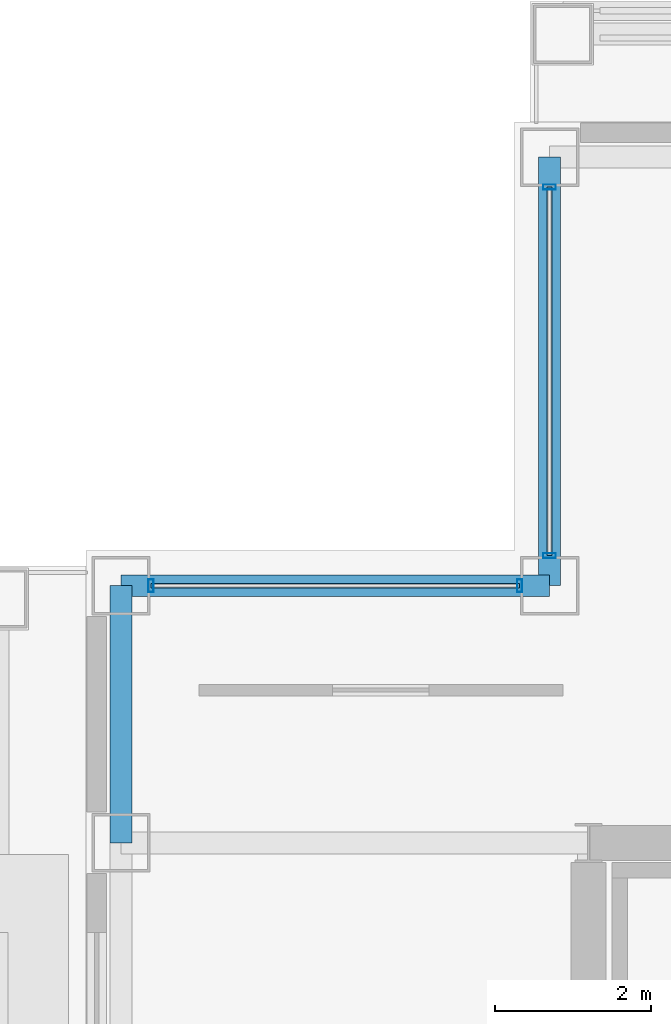
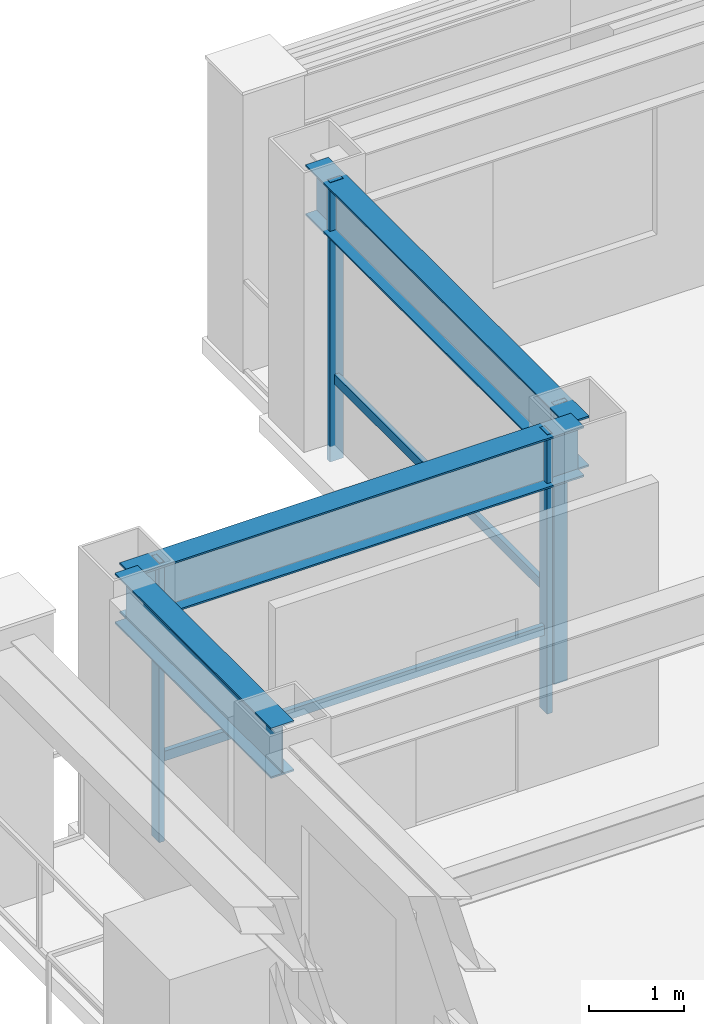
# One storey, part 19 of 31: 6 members, 3 beams, 2 elements without a shape of their own.
"""IFC4 building model written with IfcOpenShell, lengths in metres."""

from ifc_helpers import new_model, si_unit, direction, frame, origin, origin_2d, place, context, subcontext, project, spatial, hollow_rectangle, i_section, extrude, material, layer, layer_set, material_profile, profile_set, type_object, element, aggregate, save


model = new_model("IFC4")

# Units and contexts
model_context = context("Model", 3, precision=1e-05, world=origin(), true_north=direction((0.0, 1.0)))
body_context = subcontext(model_context, "Body", "Model", "MODEL_VIEW")
ifc_project = project(units=[si_unit("LENGTHUNIT", "METRE"), si_unit("AREAUNIT", "SQUARE_METRE"), si_unit("VOLUMEUNIT", "CUBIC_METRE"), si_unit("PLANEANGLEUNIT", "RADIAN"), si_unit("MASSUNIT", "GRAM", prefix="KILO")], contexts=[model_context])

# Site, building, storey
site_placement = place(None, origin())
site = spatial("IfcSite", under=ifc_project, at=site_placement, CompositionType="ELEMENT")
building_placement = place(site_placement, origin())
building = spatial("IfcBuilding", under=site, at=building_placement, Name="Brelmoor Portico Tower", CompositionType="ELEMENT")
storey_placement = place(building_placement, frame((0.0, 0.0, 176.699951171875)))
storey = spatial("IfcBuildingStorey", under=building, at=storey_placement, Name="L46", CompositionType="ELEMENT", Elevation=176.699951171875)

# Beams
ifc_material_1 = material(Name="Steel Q355B", Category="steel")
ifc_material_profile_1 = material_profile(ifc_material_1, i_section(OverallWidth=0.280029296875, OverallDepth=0.64990234375, WebThickness=0.012939453125, FlangeThickness=0.02197265625, at=origin_2d()), Name="HN 650x280x13x22")
ifc_profile_set_1 = profile_set([ifc_material_profile_1], Name="Steel Q355B")
beam_type = type_object("IfcBeamType", Name="BM-SP-650", PredefinedType="SPANDREL", material=ifc_profile_set_1)
beam_1_placement = place(storey_placement, frame((-20.550048828125, 13.050048828125, 3.074951171875), z_axis=(1.0, 0.0, 0.0), x_axis=(0.0, 1.0, 0.0)))
element("IfcBeam", 1, at=beam_1_placement, inside=storey, type_object=beam_type, Name="L46 Perimeter Spandrel Beam SP-06", PredefinedType="SPANDREL", context=body_context, shape_type="SweptSolid", body=[
    extrude(i_section(OverallWidth=0.280029296875, OverallDepth=0.64990234375, WebThickness=0.012939453125, FlangeThickness=0.02197265625, at=origin_2d()), origin(), (0.0, 0.0, 1.0), 5.5),
])
beam_2_placement = place(storey_placement, frame((-20.550048828125, 9.75, 3.074951171875), z_axis=(0.0, 1.0, 0.0), x_axis=(-1.0, 0.0, 0.0)))
element("IfcBeam", 2, at=beam_2_placement, inside=storey, type_object=beam_type, Name="L46 Perimeter Spandrel Beam SP-13", PredefinedType="SPANDREL", context=body_context, shape_type="SweptSolid", body=[
    extrude(i_section(OverallWidth=0.280029296875, OverallDepth=0.64990234375, WebThickness=0.012939453125, FlangeThickness=0.02197265625, at=origin_2d()), origin(), (0.0, 0.0, 1.0), 3.300048828125),
])
beam_3_placement = place(storey_placement, frame((-15.050048828125, 13.050048828125, 3.074951171875), z_axis=(0.0, 1.0, 0.0), x_axis=(-1.0, 0.0, 0.0)))
element("IfcBeam", 3, at=beam_3_placement, inside=storey, type_object=beam_type, Name="L46 Perimeter Spandrel Beam SP-15", PredefinedType="SPANDREL", context=body_context, shape_type="SweptSolid", body=[
    extrude(i_section(OverallWidth=0.280029296875, OverallDepth=0.64990234375, WebThickness=0.012939453125, FlangeThickness=0.02197265625, at=origin_2d()), origin(), (0.0, 0.0, 1.0), 5.5),
])

# Curtain wall, members
ifc_material_2 = material(Name="Anodised Aluminium Alloy 6063-T6", Category="aluminium")
ifc_layer = layer(ifc_material_2, 0.179931640625)
ifc_layer_set = layer_set([ifc_layer], Name="Anodised Aluminium Alloy 6063-T6")
curtain_wall_type = type_object("IfcCurtainWallType", Name="CW-NOTCH-CHAMFER", PredefinedType="NOTDEFINED", material=ifc_layer_set)
curtain_wall_1_placement = place(storey_placement, origin())
curtain_wall_1 = element("IfcCurtainWall", 4, at=curtain_wall_1_placement, inside=storey, type_object=curtain_wall_type, Name="L46 Curtain Wall CWN-L46-NWH", PredefinedType="NOTDEFINED")
ifc_material_profile_2 = material_profile(ifc_material_2, hollow_rectangle(XDim=0.06494140625, YDim=0.1650390625, WallThickness=0.00390625, at=origin_2d()), Name="ALU MULLION 65x165")
ifc_profile_set_2 = profile_set([ifc_material_profile_2], Name="Anodised Aluminium Alloy 6063-T6")
member_type_1 = type_object("IfcMemberType", Name="MB-CW-MULL-165", PredefinedType="MULLION", material=ifc_profile_set_2)
member_1_placement = place(storey_placement, frame((-20.1650390625, 13.050048828125, -0.199951171875), z_axis=(0.0, 0.0, 1.0), x_axis=(1.0, 0.0, 0.0)))
member_1 = element("IfcMember", 5, at=member_1_placement, type_object=member_type_1, Name="CWN-L46-NWH Mullion 00", PredefinedType="MULLION", context=body_context, shape_type="SweptSolid", body=[
    extrude(hollow_rectangle(XDim=0.06494140625, YDim=0.1650390625, WallThickness=0.00390625, at=origin_2d()), origin(), (0.0, 0.0, 1.0), 3.60009765625),
])
member_2_placement = place(storey_placement, frame((-15.43505859375, 13.050048828125, -0.199951171875), z_axis=(0.0, 0.0, 1.0), x_axis=(1.0, 0.0, 0.0)))
member_2 = element("IfcMember", 6, at=member_2_placement, type_object=member_type_1, Name="CWN-L46-NWH Mullion 01", PredefinedType="MULLION", context=body_context, shape_type="SweptSolid", body=[
    extrude(hollow_rectangle(XDim=0.06494140625, YDim=0.1650390625, WallThickness=0.00390625, at=origin_2d()), origin(), (0.0, 0.0, 1.0), 3.60009765625),
])

curtain_wall_2_placement = place(storey_placement, origin())
curtain_wall_2 = element("IfcCurtainWall", 7, at=curtain_wall_2_placement, inside=storey, type_object=curtain_wall_type, Name="L46 Curtain Wall CWN-L46-NWV", PredefinedType="NOTDEFINED")
member_3_placement = place(storey_placement, frame((-15.050048828125, 13.43505859375, -0.199951171875), z_axis=(0.0, 0.0, 1.0), x_axis=(0.0, 1.0, 0.0)))
member_3 = element("IfcMember", 8, at=member_3_placement, type_object=member_type_1, Name="CWN-L46-NWV Mullion 00", PredefinedType="MULLION", context=body_context, shape_type="SweptSolid", body=[
    extrude(hollow_rectangle(XDim=0.06494140625, YDim=0.1650390625, WallThickness=0.00390625, at=origin_2d()), origin(), (0.0, 0.0, 1.0), 3.60009765625),
])
member_4_placement = place(storey_placement, frame((-15.050048828125, 18.1650390625, -0.199951171875), z_axis=(0.0, 0.0, 1.0), x_axis=(0.0, 1.0, 0.0)))
member_4 = element("IfcMember", 9, at=member_4_placement, type_object=member_type_1, Name="CWN-L46-NWV Mullion 01", PredefinedType="MULLION", context=body_context, shape_type="SweptSolid", body=[
    extrude(hollow_rectangle(XDim=0.06494140625, YDim=0.1650390625, WallThickness=0.00390625, at=origin_2d()), origin(), (0.0, 0.0, 1.0), 3.60009765625),
])

# Member
ifc_material_profile_3 = material_profile(ifc_material_2, hollow_rectangle(XDim=0.06005859375, YDim=0.125, WallThickness=0.00341796875, at=origin_2d()), Name="ALU TRANSOM 60x125")
ifc_profile_set_3 = profile_set([ifc_material_profile_3], Name="Anodised Aluminium Alloy 6063-T6")
member_type_2 = type_object("IfcMemberType", Name="MB-CW-TRAN-125", PredefinedType="USERDEFINED", material=ifc_profile_set_3)
member_5_placement = place(storey_placement, frame((-20.1650390625, 13.050048828125, 0.85009765625), z_axis=(1.0, 0.0, 0.0), x_axis=(0.0, 1.0, 0.0)))
member_5 = element("IfcMember", 10, at=member_5_placement, type_object=member_type_2, Name="CWN-L46-NWH Transom 1-00", ObjectType="TRANSOM", PredefinedType="USERDEFINED", context=body_context, shape_type="SweptSolid", body=[
    extrude(hollow_rectangle(XDim=0.06005859375, YDim=0.125, WallThickness=0.00341796875, at=origin_2d()), origin(), (0.0, 0.0, 1.0), 4.72998046875),
])

aggregate(curtain_wall_1, [member_1, member_2, member_5])

member_6_placement = place(storey_placement, frame((-15.050048828125, 13.43505859375, 0.85009765625), z_axis=(0.0, 1.0, 0.0), x_axis=(-1.0, 0.0, 0.0)))
member_6 = element("IfcMember", 11, at=member_6_placement, type_object=member_type_2, Name="CWN-L46-NWV Transom 1-00", ObjectType="TRANSOM", PredefinedType="USERDEFINED", context=body_context, shape_type="SweptSolid", body=[
    extrude(hollow_rectangle(XDim=0.06005859375, YDim=0.125, WallThickness=0.00341796875, at=origin_2d()), origin(), (0.0, 0.0, 1.0), 4.72998046875),
])

aggregate(curtain_wall_2, [member_3, member_4, member_6])

save(model, "model.ifc")
